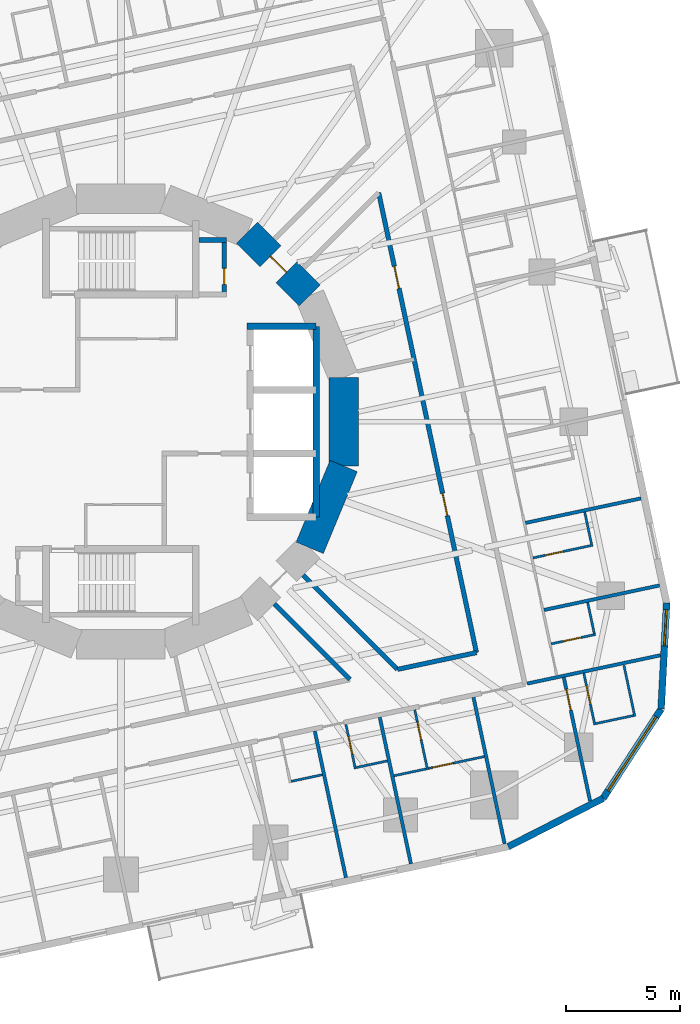
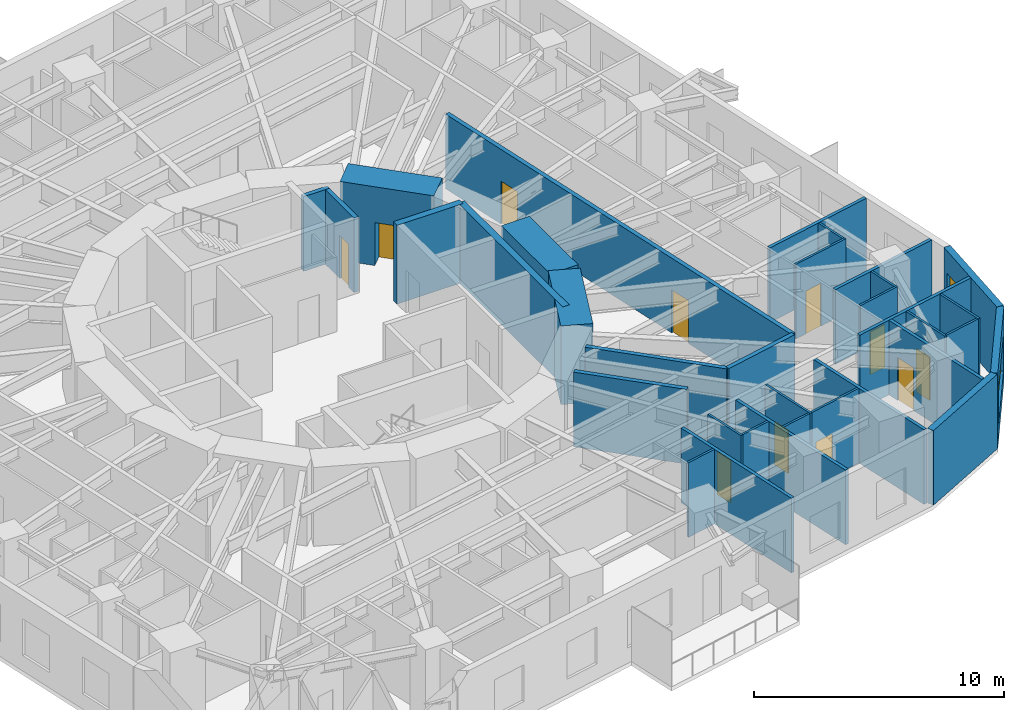
# One storey, part 8 of 14: 34 walls, 11 doors, 2 windows, 13 openings.
"""IFC4 building model written with IfcOpenShell, lengths in metres."""

from ifc_helpers import new_model, si_unit, direction, frame, frame_2d, origin, place, context, subcontext, project, spatial, rectangle, extrude, material, layer, layer_set, type_object, element, fill, save


model = new_model("IFC4")

# Units and contexts
model_context = context("Model", 3, precision=1e-05, world=origin(), true_north=direction((0.0, 1.0)))
body_context = subcontext(model_context, "Body", "Model", "MODEL_VIEW")
ifc_project = project(units=[si_unit("LENGTHUNIT", "METRE"), si_unit("AREAUNIT", "SQUARE_METRE"), si_unit("VOLUMEUNIT", "CUBIC_METRE"), si_unit("PLANEANGLEUNIT", "RADIAN"), si_unit("MASSUNIT", "GRAM", prefix="KILO")], contexts=[model_context])

# Site, building, storey
site_placement = place(None, origin())
site = spatial("IfcSite", under=ifc_project, at=site_placement, CompositionType="ELEMENT")
building_placement = place(site_placement, origin())
building = spatial("IfcBuilding", under=site, at=building_placement, Name="Nakasero Lantern House", CompositionType="ELEMENT")
storey_placement = place(building_placement, frame((0.0, 0.0, 112.699951171875)))
storey = spatial("IfcBuildingStorey", under=building, at=storey_placement, Name="L27", CompositionType="ELEMENT", Elevation=112.699951171875)

# Walls
ifc_material_1 = material(Name="Concrete C50/60", Category="concrete")
ifc_layer_1 = layer(ifc_material_1, 0.300048828125)
ifc_layer_set_1 = layer_set([ifc_layer_1], Name="Core inner wall 300")
wall_type_1 = type_object("IfcWallType", Name="Core inner wall 300", PredefinedType="SHEAR", material=ifc_layer_set_1)
wall_1_placement = place(storey_placement, frame((5.550048828125, 4.199951171875, 0.0), z_axis=(0.0, 0.0, 1.0), x_axis=(1.0, 0.0, 0.0)))
element("IfcWall", 1, at=wall_1_placement, inside=storey, type_object=wall_type_1, Name="Core inner wall L27 LEN", PredefinedType="SHEAR", context=body_context, shape_type="SweptSolid", body=[
    extrude(rectangle(XDim=3.050048828125, YDim=0.300048828125, at=frame_2d((1.52490234375, 0.0))), origin(), (0.0, 0.0, 1.0), 3.85009765625),
])
wall_2_placement = place(storey_placement, frame((8.60009765625, -4.199951171875, 0.0), z_axis=(0.0, 0.0, 1.0), x_axis=(0.0, 1.0, 0.0)))
element("IfcWall", 2, at=wall_2_placement, inside=storey, type_object=wall_type_1, Name="Core inner wall L27 LEB", PredefinedType="SHEAR", context=body_context, shape_type="SweptSolid", body=[
    extrude(rectangle(XDim=8.39990234375, YDim=0.300048828125, at=frame_2d((4.199951171875, 0.0))), origin(), (0.0, 0.0, 1.0), 3.85009765625),
])

# Wall, opening, door
ifc_material_2 = material(Name="Concrete C50/60", Category="concrete")
ifc_layer_2 = layer(ifc_material_2, 1.300048828125)
ifc_layer_set_2 = layer_set([ifc_layer_2], Name="Core wall 1300")
wall_type_2 = type_object("IfcWallType", Name="Core wall 1300", PredefinedType="SHEAR", material=ifc_layer_set_2)
wall_3_placement = place(storey_placement, frame((8.314697265625, 5.5556640625, 0.0), z_axis=(0.0, 0.0, 1.0), x_axis=(-0.707106781187, 0.707106781187, 0.0)))
wall_3 = element("IfcWall", 3, at=wall_3_placement, inside=storey, type_object=wall_type_2, Name="Core wall L27 facet 2", PredefinedType="SHEAR", context=body_context, shape_type="SweptSolid", body=[
    extrude(rectangle(XDim=3.90185546875, YDim=1.300048828125, at=frame_2d((1.950927734375, 0.0))), origin(), (0.0, 0.0, 1.0), 3.85009765625),
])
opening_1_placement = place(wall_3_placement, frame((1.450927734375, 0.0, 0.0)))
opening_1 = element("IfcOpeningElement", 4, at=opening_1_placement, cuts=wall_3, Name="Opening D05", PredefinedType="OPENING", context=body_context, shape_type="SweptSolid", body=[
    extrude(rectangle(XDim=1.0, YDim=2.10009765625, at=frame_2d((0.5, 1.050048828125))), frame((0.0, 0.669921875, 0.0), z_axis=(0.0, -1.0, 0.0), x_axis=(1.0, 0.0, 0.0)), (0.0, 0.0, 1.0), 1.340087890625),
])
ifc_material_3 = material(Name="Timber C24", Category="wood")
door_type_1 = type_object("IfcDoorType", Name="Core door FD60S 1000", OperationType="SINGLE_SWING_LEFT", PredefinedType="DOOR", material=ifc_material_3)
door_1_placement = place(opening_1_placement, origin())
door_1 = element("IfcDoor", 5, at=door_1_placement, inside=storey, type_object=door_type_1, Name="Door L27 D-CORE02", OperationType="SINGLE_SWING_LEFT", OverallHeight=2.10009765625, OverallWidth=1.0, PredefinedType="DOOR", context=body_context, shape_type="SweptSolid", body=[
    extrude(rectangle(XDim=1.0, YDim=2.10009765625, at=frame_2d((0.5, 1.050048828125))), frame((0.0, 0.02490234375, 0.0), z_axis=(0.0, -1.0, 0.0), x_axis=(1.0, 0.0, 0.0)), (0.0, 0.0, 1.0), 0.050048828125),
])
fill(opening_1, door_1)

# Walls
for number, where, z_axis, x_axis, name in (
    (6, (8.314697265625, -5.5556640625, 0.0), (0.0, 0.0, 1.0), (0.382690736062, 0.923876507187, 0.0), "Core wall L27 facet 15"),
    (7, (9.807861328125, -1.950927734375, 0.0), (0.0, 0.0, 1.0), (0.0, 1.0, 0.0), "Core wall L27 facet 16"),
):
    element("IfcWall", number, at=place(storey_placement, frame(where, z_axis=z_axis, x_axis=x_axis)), inside=storey, type_object=wall_type_2, Name=name, PredefinedType="SHEAR", context=body_context, shape_type="SweptSolid", body=[
        extrude(rectangle(XDim=3.90185546875, YDim=1.300048828125, at=frame_2d((1.950927734375, 0.0))), origin(), (0.0, 0.0, 1.0), 3.85009765625),
    ])

# Wall, openings, doors
ifc_material_4 = material(Name="Blockwork", Category="masonry")
ifc_layer_3 = layer(ifc_material_4, 0.199951171875)
ifc_layer_set_3 = layer_set([ifc_layer_3], Name="Corridor wall 200")
wall_type_3 = type_object("IfcWallType", Name="Corridor wall 200", PredefinedType="PARTITIONING", material=ifc_layer_set_3)
wall_4_placement = place(storey_placement, frame((15.656005859375, -10.1669921875, 0.0), z_axis=(0.0, 0.0, 1.0), x_axis=(-0.207919413582, 0.978145959178, 0.0)))
wall_4 = element("IfcWall", 8, at=wall_4_placement, inside=storey, type_object=wall_type_3, Name="Corridor wall L27 IW0-0", PredefinedType="PARTITIONING", context=body_context, shape_type="SweptSolid", body=[
    extrude(rectangle(XDim=20.698974609375, YDim=0.199951171875, at=frame_2d((10.349609375, 0.0))), origin(), (0.0, 0.0, 1.0), 3.650146484375),
])
opening_2_placement = place(wall_4_placement, frame((6.16259765625, 0.0, 0.0)))
opening_2 = element("IfcOpeningElement", 9, at=opening_2_placement, cuts=wall_4, Name="Opening D07", PredefinedType="OPENING", context=body_context, shape_type="SweptSolid", body=[
    extrude(rectangle(XDim=1.0, YDim=2.10009765625, at=frame_2d((0.5, 1.050048828125))), frame((0.0, 0.119873046875, 0.0), z_axis=(0.0, -1.0, 0.0), x_axis=(1.0, 0.0, 0.0)), (0.0, 0.0, 1.0), 0.239990234375),
])
opening_3_placement = place(wall_4_placement, frame((16.386962890625, 0.0, 0.0)))
opening_3 = element("IfcOpeningElement", 10, at=opening_3_placement, cuts=wall_4, Name="Opening D07", PredefinedType="OPENING", context=body_context, shape_type="SweptSolid", body=[
    extrude(rectangle(XDim=1.0, YDim=2.10009765625, at=frame_2d((0.5, 1.050048828125))), frame((0.0, 0.119873046875, 0.0), z_axis=(0.0, -1.0, 0.0), x_axis=(1.0, 0.0, 0.0)), (0.0, 0.0, 1.0), 0.239990234375),
])
ifc_material_5 = material(Name="Timber C24", Category="wood")
door_type_2 = type_object("IfcDoorType", Name="Room door FD30S 1000", OperationType="SINGLE_SWING_LEFT", PredefinedType="DOOR", material=ifc_material_5)
door_2_placement = place(opening_2_placement, origin())
door_2 = element("IfcDoor", 11, at=door_2_placement, inside=storey, type_object=door_type_2, Name="Door L27 DI3", OperationType="SINGLE_SWING_LEFT", OverallHeight=2.10009765625, OverallWidth=1.0, PredefinedType="DOOR", context=body_context, shape_type="SweptSolid", body=[
    extrude(rectangle(XDim=1.0, YDim=2.10009765625, at=frame_2d((0.5, 1.050048828125))), frame((0.0, 0.02490234375, 0.0), z_axis=(0.0, -1.0, 0.0), x_axis=(1.0, 0.0, 0.0)), (0.0, 0.0, 1.0), 0.050048828125),
])
fill(opening_2, door_2)
door_3_placement = place(opening_3_placement, origin())
door_3 = element("IfcDoor", 12, at=door_3_placement, inside=storey, type_object=door_type_2, Name="Door L27 DI4", OperationType="SINGLE_SWING_RIGHT", OverallHeight=2.10009765625, OverallWidth=1.0, PredefinedType="DOOR", context=body_context, shape_type="SweptSolid", body=[
    extrude(rectangle(XDim=1.0, YDim=2.10009765625, at=frame_2d((0.5, 1.050048828125))), frame((0.0, 0.02490234375, 0.0), z_axis=(0.0, -1.0, 0.0), x_axis=(1.0, 0.0, 0.0)), (0.0, 0.0, 1.0), 0.050048828125),
])
fill(opening_3, door_3)

# Walls
wall_5_placement = place(storey_placement, frame((12.178955078125, -10.90625, 0.0), z_axis=(0.0, 0.0, 1.0), x_axis=(0.978136852319, 0.207962251708, 0.0)))
element("IfcWall", 13, at=wall_5_placement, inside=storey, type_object=wall_type_3, Name="Corridor wall L27 IW3-1", PredefinedType="PARTITIONING", context=body_context, shape_type="SweptSolid", body=[
    extrude(rectangle(XDim=3.5546875, YDim=0.199951171875, at=frame_2d((1.77734375, 0.0))), origin(), (0.0, 0.0, 1.0), 3.650146484375),
])
wall_6_placement = place(storey_placement, frame((8.03125, -6.758544921875, 0.0), z_axis=(0.0, 0.0, 1.0), x_axis=(0.707106781187, -0.707106781187, 0.0)))
element("IfcWall", 14, at=wall_6_placement, inside=storey, type_object=wall_type_3, Name="Corridor wall L27 PS14a", PredefinedType="PARTITIONING", context=body_context, shape_type="SweptSolid", body=[
    extrude(rectangle(XDim=5.86572265625, YDim=0.199951171875, at=frame_2d((2.932861328125, 0.0))), origin(), (0.0, 0.0, 1.0), 3.650146484375),
])
wall_7_placement = place(storey_placement, frame((6.758544921875, -8.03125, 0.0), z_axis=(0.0, 0.0, 1.0), x_axis=(0.707106781187, -0.707106781187, 0.0)))
element("IfcWall", 15, at=wall_7_placement, inside=storey, type_object=wall_type_3, Name="Corridor wall L27 PS14b", PredefinedType="PARTITIONING", context=body_context, shape_type="SweptSolid", body=[
    extrude(rectangle(XDim=4.69677734375, YDim=0.199951171875, at=frame_2d((2.348388671875, 0.0))), origin(), (0.0, 0.0, 1.0), 3.650146484375),
])

# Wall, opening, door
ifc_material_6 = material(Name="Blockwork", Category="masonry")
ifc_layer_4 = layer(ifc_material_6, 0.10009765625)
ifc_layer_set_4 = layer_set([ifc_layer_4], Name="En-suite wall 100")
wall_type_4 = type_object("IfcWallType", Name="En-suite wall 100", PredefinedType="PARTITIONING", material=ifc_layer_set_4)
wall_8_placement = place(storey_placement, frame((18.947998046875, -9.783203125, 0.0), z_axis=(0.0, 0.0, 1.0), x_axis=(0.978128127149, 0.208003285743, 0.0)))
wall_8 = element("IfcWall", 16, at=wall_8_placement, inside=storey, type_object=wall_type_4, Name="En-suite wall L27 ES0-00", PredefinedType="PARTITIONING", context=body_context, shape_type="SweptSolid", body=[
    extrude(rectangle(XDim=2.0, YDim=0.10009765625, at=frame_2d((1.0, 0.0))), origin(), (0.0, 0.0, 1.0), 3.650146484375),
])
opening_4_placement = place(wall_8_placement, frame((0.550048828125, 0.0, 0.0)))
opening_4 = element("IfcOpeningElement", 17, at=opening_4_placement, cuts=wall_8, Name="Opening D02", PredefinedType="OPENING", context=body_context, shape_type="SweptSolid", body=[
    extrude(rectangle(XDim=0.800048828125, YDim=2.10009765625, at=frame_2d((0.39990234375, 1.050048828125))), frame((0.0, 0.070068359375, 0.0), z_axis=(0.0, -1.0, 0.0), x_axis=(1.0, 0.0, 0.0)), (0.0, 0.0, 1.0), 0.14013671875),
])
ifc_material_7 = material(Name="Timber C24", Category="wood")
door_type_3 = type_object("IfcDoorType", Name="En-suite door 800", OperationType="SINGLE_SWING_RIGHT", PredefinedType="DOOR", material=ifc_material_7)
door_4_placement = place(opening_4_placement, origin())
door_4 = element("IfcDoor", 18, at=door_4_placement, inside=storey, type_object=door_type_3, Name="Door L27 DE0-00", OperationType="SINGLE_SWING_LEFT", OverallHeight=2.10009765625, OverallWidth=0.800048828125, PredefinedType="DOOR", context=body_context, shape_type="SweptSolid", body=[
    extrude(rectangle(XDim=0.800048828125, YDim=2.10009765625, at=frame_2d((0.39990234375, 1.050048828125))), frame((0.0, 0.02490234375, 0.0), z_axis=(0.0, -1.0, 0.0), x_axis=(1.0, 0.0, 0.0)), (0.0, 0.0, 1.0), 0.050048828125),
])
fill(opening_4, door_4)

# Wall
wall_9_placement = place(storey_placement, frame((20.844970703125, -9.328857421875, 0.0), z_axis=(0.0, 0.0, 1.0), x_axis=(-0.207873355681, 0.978155748334, 0.0)))
element("IfcWall", 19, at=wall_9_placement, inside=storey, type_object=wall_type_4, Name="En-suite wall L27 EE0-00", PredefinedType="PARTITIONING", context=body_context, shape_type="SweptSolid", body=[
    extrude(rectangle(XDim=1.39990234375, YDim=0.10009765625, at=frame_2d((0.699951171875, 0.0))), origin(), (0.0, 0.0, 1.0), 3.650146484375),
])

# Wall, opening, door
wall_10_placement = place(storey_placement, frame((18.1435546875, -5.998291015625, 0.0), z_axis=(0.0, 0.0, 1.0), x_axis=(0.978137244908, 0.207960405185, 0.0)))
wall_10 = element("IfcWall", 20, at=wall_10_placement, inside=storey, type_object=wall_type_4, Name="En-suite wall L27 ES0-01", PredefinedType="PARTITIONING", context=body_context, shape_type="SweptSolid", body=[
    extrude(rectangle(XDim=2.7001953125, YDim=0.10009765625, at=frame_2d((1.35009765625, 0.0))), origin(), (0.0, 0.0, 1.0), 3.650146484375),
])
opening_5_placement = place(wall_10_placement, frame((0.550048828125, 0.0, 0.0)))
opening_5 = element("IfcOpeningElement", 21, at=opening_5_placement, cuts=wall_10, Name="Opening D02", PredefinedType="OPENING", context=body_context, shape_type="SweptSolid", body=[
    extrude(rectangle(XDim=0.800048828125, YDim=2.10009765625, at=frame_2d((0.39990234375, 1.050048828125))), frame((0.0, 0.070068359375, 0.0), z_axis=(0.0, -1.0, 0.0), x_axis=(1.0, 0.0, 0.0)), (0.0, 0.0, 1.0), 0.14013671875),
])
door_5_placement = place(opening_5_placement, origin())
door_5 = element("IfcDoor", 22, at=door_5_placement, inside=storey, type_object=door_type_3, Name="Door L27 DE0-01", OperationType="SINGLE_SWING_LEFT", OverallHeight=2.10009765625, OverallWidth=0.800048828125, PredefinedType="DOOR", context=body_context, shape_type="SweptSolid", body=[
    extrude(rectangle(XDim=0.800048828125, YDim=2.10009765625, at=frame_2d((0.39990234375, 1.050048828125))), frame((0.0, 0.02490234375, 0.0), z_axis=(0.0, -1.0, 0.0), x_axis=(1.0, 0.0, 0.0)), (0.0, 0.0, 1.0), 0.050048828125),
])
fill(opening_5, door_5)

# Walls
wall_11_placement = place(storey_placement, frame((20.725341796875, -5.398193359375, 0.0), z_axis=(0.0, 0.0, 1.0), x_axis=(-0.207953405961, 0.978138732977, 0.0)))
element("IfcWall", 23, at=wall_11_placement, inside=storey, type_object=wall_type_4, Name="En-suite wall L27 EE0-01", PredefinedType="PARTITIONING", context=body_context, shape_type="SweptSolid", body=[
    extrude(rectangle(XDim=1.449951171875, YDim=0.10009765625, at=frame_2d((0.72509765625, 0.0))), origin(), (0.0, 0.0, 1.0), 3.650146484375),
])
wall_12_placement = place(storey_placement, frame((7.50048828125, -15.836669921875, 0.0), z_axis=(0.0, 0.0, 1.0), x_axis=(0.978155748334, 0.207873355681, 0.0)))
element("IfcWall", 24, at=wall_12_placement, inside=storey, type_object=wall_type_4, Name="En-suite wall L27 EE3-05", PredefinedType="PARTITIONING", context=body_context, shape_type="SweptSolid", body=[
    extrude(rectangle(XDim=1.39990234375, YDim=0.10009765625, at=frame_2d((0.699951171875, 0.0))), origin(), (0.0, 0.0, 1.0), 3.650146484375),
])

# Wall, opening, door
wall_13_placement = place(storey_placement, frame((9.908447265625, -13.331298828125, 0.0), z_axis=(0.0, 0.0, 1.0), x_axis=(0.208003285743, -0.978128127149, 0.0)))
wall_13 = element("IfcWall", 25, at=wall_13_placement, inside=storey, type_object=wall_type_4, Name="En-suite wall L27 ES3-06", PredefinedType="PARTITIONING", context=body_context, shape_type="SweptSolid", body=[
    extrude(rectangle(XDim=2.0, YDim=0.10009765625, at=frame_2d((1.0, 0.0))), origin(), (0.0, 0.0, 1.0), 3.650146484375),
])
opening_6_placement = place(wall_13_placement, frame((0.550048828125, 0.0, 0.0)))
opening_6 = element("IfcOpeningElement", 26, at=opening_6_placement, cuts=wall_13, Name="Opening D02", PredefinedType="OPENING", context=body_context, shape_type="SweptSolid", body=[
    extrude(rectangle(XDim=0.800048828125, YDim=2.10009765625, at=frame_2d((0.39990234375, 1.050048828125))), frame((0.0, 0.070068359375, 0.0), z_axis=(0.0, -1.0, 0.0), x_axis=(1.0, 0.0, 0.0)), (0.0, 0.0, 1.0), 0.14013671875),
])
door_6_placement = place(opening_6_placement, origin())
door_6 = element("IfcDoor", 27, at=door_6_placement, inside=storey, type_object=door_type_3, Name="Door L27 DE3-06", OperationType="SINGLE_SWING_LEFT", OverallHeight=2.10009765625, OverallWidth=0.800048828125, PredefinedType="DOOR", context=body_context, shape_type="SweptSolid", body=[
    extrude(rectangle(XDim=0.800048828125, YDim=2.10009765625, at=frame_2d((0.39990234375, 1.050048828125))), frame((0.0, 0.02490234375, 0.0), z_axis=(0.0, -1.0, 0.0), x_axis=(1.0, 0.0, 0.0)), (0.0, 0.0, 1.0), 0.050048828125),
])
fill(opening_6, door_6)

# Wall
wall_14_placement = place(storey_placement, frame((10.36279296875, -15.228271484375, 0.0), z_axis=(0.0, 0.0, 1.0), x_axis=(0.978155748334, 0.207873355681, 0.0)))
element("IfcWall", 28, at=wall_14_placement, inside=storey, type_object=wall_type_4, Name="En-suite wall L27 EE3-06", PredefinedType="PARTITIONING", context=body_context, shape_type="SweptSolid", body=[
    extrude(rectangle(XDim=1.39990234375, YDim=0.10009765625, at=frame_2d((0.699951171875, 0.0))), origin(), (0.0, 0.0, 1.0), 3.650146484375),
])

# Wall, opening, door
wall_15_placement = place(storey_placement, frame((12.940673828125, -12.686767578125, 0.0), z_axis=(0.0, 0.0, 1.0), x_axis=(0.207978798957, -0.978133334052, 0.0)))
wall_15 = element("IfcWall", 29, at=wall_15_placement, inside=storey, type_object=wall_type_4, Name="En-suite wall L27 ES3-07", PredefinedType="PARTITIONING", context=body_context, shape_type="SweptSolid", body=[
    extrude(rectangle(XDim=2.699951171875, YDim=0.10009765625, at=frame_2d((1.35009765625, 0.0))), origin(), (0.0, 0.0, 1.0), 3.650146484375),
])
opening_7_placement = place(wall_15_placement, frame((0.550048828125, 0.0, 0.0)))
opening_7 = element("IfcOpeningElement", 30, at=opening_7_placement, cuts=wall_15, Name="Opening D02", PredefinedType="OPENING", context=body_context, shape_type="SweptSolid", body=[
    extrude(rectangle(XDim=0.800048828125, YDim=2.10009765625, at=frame_2d((0.39990234375, 1.050048828125))), frame((0.0, 0.070068359375, 0.0), z_axis=(0.0, -1.0, 0.0), x_axis=(1.0, 0.0, 0.0)), (0.0, 0.0, 1.0), 0.14013671875),
])
door_7_placement = place(opening_7_placement, origin())
door_7 = element("IfcDoor", 31, at=door_7_placement, inside=storey, type_object=door_type_3, Name="Door L27 DE3-07", OperationType="SINGLE_SWING_LEFT", OverallHeight=2.10009765625, OverallWidth=0.800048828125, PredefinedType="DOOR", context=body_context, shape_type="SweptSolid", body=[
    extrude(rectangle(XDim=0.800048828125, YDim=2.10009765625, at=frame_2d((0.39990234375, 1.050048828125))), frame((0.0, 0.02490234375, 0.0), z_axis=(0.0, -1.0, 0.0), x_axis=(1.0, 0.0, 0.0)), (0.0, 0.0, 1.0), 0.050048828125),
])
fill(opening_7, door_7)

# Wall
wall_16_placement = place(storey_placement, frame((12.024658203125, -15.590576171875, 0.0), z_axis=(0.0, 0.0, 1.0), x_axis=(0.978138732977, 0.207953405961, 0.0)))
element("IfcWall", 32, at=wall_16_placement, inside=storey, type_object=wall_type_4, Name="En-suite wall L27 EE3-07", PredefinedType="PARTITIONING", context=body_context, shape_type="SweptSolid", body=[
    extrude(rectangle(XDim=1.449951171875, YDim=0.10009765625, at=frame_2d((0.72509765625, 0.0))), origin(), (0.0, 0.0, 1.0), 3.650146484375),
])

# Wall, opening, door
wall_17_placement = place(storey_placement, frame((20.382568359375, -11.069091796875, 0.0), z_axis=(0.0, 0.0, 1.0), x_axis=(0.207965047255, -0.978136257952, 0.0)))
wall_17 = element("IfcWall", 33, at=wall_17_placement, inside=storey, type_object=wall_type_4, Name="En-suite wall L27 ES3-08", PredefinedType="PARTITIONING", context=body_context, shape_type="SweptSolid", body=[
    extrude(rectangle(XDim=2.3349609375, YDim=0.10009765625, at=frame_2d((1.16748046875, 0.0))), origin(), (0.0, 0.0, 1.0), 3.650146484375),
])
opening_8_placement = place(wall_17_placement, frame((0.5849609375, 0.0, 0.0)))
opening_8 = element("IfcOpeningElement", 34, at=opening_8_placement, cuts=wall_17, Name="Opening D02", PredefinedType="OPENING", context=body_context, shape_type="SweptSolid", body=[
    extrude(rectangle(XDim=0.800048828125, YDim=2.10009765625, at=frame_2d((0.39990234375, 1.050048828125))), frame((0.0, 0.070068359375, 0.0), z_axis=(0.0, -1.0, 0.0), x_axis=(1.0, 0.0, 0.0)), (0.0, 0.0, 1.0), 0.14013671875),
])
door_8_placement = place(opening_8_placement, origin())
door_8 = element("IfcDoor", 35, at=door_8_placement, inside=storey, type_object=door_type_3, Name="Door L27 DE3-08", OperationType="SINGLE_SWING_LEFT", OverallHeight=2.10009765625, OverallWidth=0.800048828125, PredefinedType="DOOR", context=body_context, shape_type="SweptSolid", body=[
    extrude(rectangle(XDim=0.800048828125, YDim=2.10009765625, at=frame_2d((0.39990234375, 1.050048828125))), frame((0.0, 0.02490234375, 0.0), z_axis=(0.0, -1.0, 0.0), x_axis=(1.0, 0.0, 0.0)), (0.0, 0.0, 1.0), 0.050048828125),
])
fill(opening_8, door_8)

# Walls
wall_18_placement = place(storey_placement, frame((20.906494140625, -13.293701171875, 0.0), z_axis=(0.0, 0.0, 1.0), x_axis=(0.978168704767, 0.207812379357, 0.0)))
element("IfcWall", 36, at=wall_18_placement, inside=storey, type_object=wall_type_4, Name="En-suite wall L27 EE3-08", PredefinedType="PARTITIONING", context=body_context, shape_type="SweptSolid", body=[
    extrude(rectangle(XDim=1.699951171875, YDim=0.10009765625, at=frame_2d((0.85009765625, 0.0))), origin(), (0.0, 0.0, 1.0), 3.650146484375),
])
wall_19_placement = place(storey_placement, frame((22.150634765625, -10.72900390625, 0.0), z_axis=(0.0, 0.0, 1.0), x_axis=(0.207839712757, -0.978162897375, 0.0)))
element("IfcWall", 37, at=wall_19_placement, inside=storey, type_object=wall_type_4, Name="En-suite wall L27 EV3-08", PredefinedType="PARTITIONING", context=body_context, shape_type="SweptSolid", body=[
    extrude(rectangle(XDim=2.300048828125, YDim=0.10009765625, at=frame_2d((1.14990234375, 0.0))), origin(), (0.0, 0.0, 1.0), 3.650146484375),
])

# Wall, opening, door
wall_20_placement = place(storey_placement, frame((13.540771484375, -15.268310546875, 0.0), z_axis=(0.0, 0.0, 1.0), x_axis=(0.978157126054, 0.207866872659, 0.0)))
wall_20 = element("IfcWall", 38, at=wall_20_placement, inside=storey, type_object=wall_type_4, Name="En-suite wall L27 EL3-07", PredefinedType="PARTITIONING", context=body_context, shape_type="SweptSolid", body=[
    extrude(rectangle(XDim=2.51806640625, YDim=0.10009765625, at=frame_2d((1.259033203125, 0.0))), origin(), (0.0, 0.0, 1.0), 3.650146484375),
])
opening_9_placement = place(wall_20_placement, frame((0.199951171875, 0.0, 0.0)))
opening_9 = element("IfcOpeningElement", 39, at=opening_9_placement, cuts=wall_20, Name="Opening D17", PredefinedType="OPENING", context=body_context, shape_type="SweptSolid", body=[
    extrude(rectangle(XDim=0.89990234375, YDim=2.10009765625, at=frame_2d((0.449951171875, 1.050048828125))), frame((0.0, 0.070068359375, 0.0), z_axis=(0.0, -1.0, 0.0), x_axis=(1.0, 0.0, 0.0)), (0.0, 0.0, 1.0), 0.14013671875),
])
ifc_material_8 = material(Name="Timber C24", Category="wood")
door_type_4 = type_object("IfcDoorType", Name="Bedroom door FD30S 900", OperationType="SINGLE_SWING_LEFT", PredefinedType="DOOR", material=ifc_material_8)
door_9_placement = place(opening_9_placement, origin())
door_9 = element("IfcDoor", 40, at=door_9_placement, inside=storey, type_object=door_type_4, Name="Door L27 DL3-07", OperationType="SINGLE_SWING_LEFT", OverallHeight=2.10009765625, OverallWidth=0.89990234375, PredefinedType="DOOR", context=body_context, shape_type="SweptSolid", body=[
    extrude(rectangle(XDim=0.89990234375, YDim=2.10009765625, at=frame_2d((0.449951171875, 1.050048828125))), frame((0.0, 0.02490234375, 0.0), z_axis=(0.0, -1.0, 0.0), x_axis=(1.0, 0.0, 0.0)), (0.0, 0.0, 1.0), 0.050048828125),
])
fill(opening_9, door_9)

# Wall
ifc_material_9 = material(Name="Aluminium rainscreen on blockwork", Category="masonry")
ifc_layer_5 = layer(ifc_material_9, 0.300048828125)
ifc_layer_set_5 = layer_set([ifc_layer_5], Name="Facade wall 300")
wall_type_5 = type_object("IfcWallType", Name="Facade wall 300", PredefinedType="SOLIDWALL", material=ifc_layer_set_5)
wall_21_placement = place(storey_placement, frame((17.063232421875, -18.711181640625, 0.0), z_axis=(0.0, 0.0, 1.0), x_axis=(0.89101404178, 0.453975745332, 0.0)))
element("IfcWall", 41, at=wall_21_placement, inside=storey, type_object=wall_type_5, Name="Facade wall L27 FW3C1", PredefinedType="SOLIDWALL", context=body_context, shape_type="SweptSolid", body=[
    extrude(rectangle(XDim=4.6845703125, YDim=0.300048828125, at=frame_2d((2.34228515625, 0.0))), origin(), (0.0, 0.0, 1.0), 3.650146484375),
])

# Wall, opening, window
wall_22_placement = place(storey_placement, frame((21.2373046875, -16.58447265625, 0.0), z_axis=(0.0, 0.0, 1.0), x_axis=(0.544605442853, 0.838692381994, 0.0)))
wall_22 = element("IfcWall", 42, at=wall_22_placement, inside=storey, type_object=wall_type_5, Name="Facade wall L27 FW3C2", PredefinedType="SOLIDWALL", context=body_context, shape_type="SweptSolid", body=[
    extrude(rectangle(XDim=4.6845703125, YDim=0.300048828125, at=frame_2d((2.34228515625, 0.0))), origin(), (0.0, 0.0, 1.0), 3.650146484375),
])
opening_10_placement = place(wall_22_placement, frame((0.39990234375, 0.0, 0.75)))
opening_10 = element("IfcOpeningElement", 43, at=opening_10_placement, cuts=wall_22, Name="Opening W238", PredefinedType="OPENING", context=body_context, shape_type="SweptSolid", body=[
    extrude(rectangle(XDim=3.885009765625, YDim=1.800048828125, at=frame_2d((1.9423828125, 0.89990234375))), frame((0.0, 0.169921875, 0.0), z_axis=(0.0, -1.0, 0.0), x_axis=(1.0, 0.0, 0.0)), (0.0, 0.0, 1.0), 0.340087890625),
])
ifc_material_10 = material(Name="Aluminium 6063-T6 and glass", Category="aluminium")
window_type_1 = type_object("IfcWindowType", Name="Corner window 3885x1800", PartitioningType="SINGLE_PANEL", PredefinedType="WINDOW", material=ifc_material_10)
window_1_placement = place(opening_10_placement, origin())
window_1 = element("IfcWindow", 44, at=window_1_placement, inside=storey, type_object=window_type_1, Name="Window L27 WC3", OverallHeight=1.800048828125, OverallWidth=3.885009765625, PartitioningType="SINGLE_PANEL", PredefinedType="WINDOW", context=body_context, shape_type="SweptSolid", body=[
    extrude(rectangle(XDim=3.885009765625, YDim=1.800048828125, at=frame_2d((1.9423828125, 0.89990234375))), frame((0.0, 0.030029296875, 0.0), z_axis=(0.0, -1.0, 0.0), x_axis=(1.0, 0.0, 0.0)), (0.0, 0.0, 1.0), 0.06005859375),
])
fill(opening_10, window_1)

wall_23_placement = place(storey_placement, frame((23.78857421875, -12.655517578125, 0.0), z_axis=(0.0, 0.0, 1.0), x_axis=(0.052326317, 0.998630039879, 0.0)))
wall_23 = element("IfcWall", 45, at=wall_23_placement, inside=storey, type_object=wall_type_5, Name="Facade wall L27 FW3C3", PredefinedType="SOLIDWALL", context=body_context, shape_type="SweptSolid", body=[
    extrude(rectangle(XDim=4.684326171875, YDim=0.300048828125, at=frame_2d((2.34228515625, 0.0))), origin(), (0.0, 0.0, 1.0), 3.650146484375),
])
opening_11_placement = place(wall_23_placement, frame((2.784912109375, 0.0, 0.75)))
opening_11 = element("IfcOpeningElement", 46, at=opening_11_placement, cuts=wall_23, Name="Opening W01", PredefinedType="OPENING", context=body_context, shape_type="SweptSolid", body=[
    extrude(rectangle(XDim=1.60009765625, YDim=1.800048828125, at=frame_2d((0.800048828125, 0.89990234375))), frame((0.0, 0.169921875, 0.0), z_axis=(0.0, -1.0, 0.0), x_axis=(1.0, 0.0, 0.0)), (0.0, 0.0, 1.0), 0.340087890625),
])
ifc_material_11 = material(Name="Aluminium 6063-T6 and glass", Category="aluminium")
window_type_2 = type_object("IfcWindowType", Name="Bedroom window 1600x1800", PartitioningType="SINGLE_PANEL", PredefinedType="WINDOW", material=ifc_material_11)
window_2_placement = place(opening_11_placement, origin())
window_2 = element("IfcWindow", 47, at=window_2_placement, inside=storey, type_object=window_type_2, Name="Window L27 WN0-00", OverallHeight=1.800048828125, OverallWidth=1.60009765625, PartitioningType="SINGLE_PANEL", PredefinedType="WINDOW", context=body_context, shape_type="SweptSolid", body=[
    extrude(rectangle(XDim=1.60009765625, YDim=1.800048828125, at=frame_2d((0.800048828125, 0.89990234375))), frame((0.0, 0.030029296875, 0.0), z_axis=(0.0, -1.0, 0.0), x_axis=(1.0, 0.0, 0.0)), (0.0, 0.0, 1.0), 0.06005859375),
])
fill(opening_11, window_2)

# Wall, opening, door
ifc_material_12 = material(Name="Blockwork", Category="masonry")
ifc_layer_6 = layer(ifc_material_12, 0.199951171875)
ifc_layer_set_6 = layer_set([ifc_layer_6], Name="Fire lobby wall 200")
wall_type_6 = type_object("IfcWallType", Name="Fire lobby wall 200", PredefinedType="PARTITIONING", material=ifc_layer_set_6)
wall_24_placement = place(storey_placement, frame((4.550048828125, 5.60009765625, 0.0), z_axis=(0.0, 0.0, 1.0), x_axis=(0.0, 1.0, 0.0)))
wall_24 = element("IfcWall", 48, at=wall_24_placement, inside=storey, type_object=wall_type_6, Name="Fire lobby wall L27 W-RS1E", PredefinedType="PARTITIONING", context=body_context, shape_type="SweptSolid", body=[
    extrude(rectangle(XDim=2.39990234375, YDim=0.199951171875, at=frame_2d((1.199951171875, 0.0))), origin(), (0.0, 0.0, 1.0), 3.650146484375),
])
opening_12_placement = place(wall_24_placement, frame((0.449951171875, 0.0, 0.0)))
opening_12 = element("IfcOpeningElement", 49, at=opening_12_placement, cuts=wall_24, Name="Opening D06", PredefinedType="OPENING", context=body_context, shape_type="SweptSolid", body=[
    extrude(rectangle(XDim=0.699951171875, YDim=2.10009765625, at=frame_2d((0.35009765625, 1.050048828125))), frame((0.0, 0.119873046875, 0.0), z_axis=(0.0, -1.0, 0.0), x_axis=(1.0, 0.0, 0.0)), (0.0, 0.0, 1.0), 0.239990234375),
])
ifc_material_13 = material(Name="Steel S355", Category="steel")
door_type_5 = type_object("IfcDoorType", Name="Riser door FD60 700", OperationType="SINGLE_SWING_LEFT", PredefinedType="DOOR", material=ifc_material_13)
door_10_placement = place(opening_12_placement, origin())
door_10 = element("IfcDoor", 50, at=door_10_placement, inside=storey, type_object=door_type_5, Name="Door L27 D-RS1", OperationType="SINGLE_SWING_LEFT", OverallHeight=2.10009765625, OverallWidth=0.699951171875, PredefinedType="DOOR", context=body_context, shape_type="SweptSolid", body=[
    extrude(rectangle(XDim=0.699951171875, YDim=2.10009765625, at=frame_2d((0.35009765625, 1.050048828125))), frame((0.0, 0.02490234375, 0.0), z_axis=(0.0, -1.0, 0.0), x_axis=(1.0, 0.0, 0.0)), (0.0, 0.0, 1.0), 0.050048828125),
])
fill(opening_12, door_10)

# Walls
wall_25_placement = place(storey_placement, frame((3.449951171875, 8.0, 0.0), z_axis=(0.0, 0.0, 1.0), x_axis=(1.0, 0.0, 0.0)))
element("IfcWall", 51, at=wall_25_placement, inside=storey, type_object=wall_type_6, Name="Fire lobby wall L27 W-RS1N", PredefinedType="PARTITIONING", context=body_context, shape_type="SweptSolid", body=[
    extrude(rectangle(XDim=1.199951171875, YDim=0.199951171875, at=frame_2d((0.60009765625, 0.0))), origin(), (0.0, 0.0, 1.0), 3.650146484375),
])
ifc_material_14 = material(Name="Blockwork", Category="masonry")
ifc_layer_7 = layer(ifc_material_14, 0.14990234375)
ifc_layer_set_7 = layer_set([ifc_layer_7], Name="Party wall 150")
wall_type_7 = type_object("IfcWallType", Name="Party wall 150", PredefinedType="PARTITIONING", material=ifc_layer_set_7)
wall_26_placement = place(storey_placement, frame((17.888671875, -11.53271484375, 0.0), z_axis=(0.0, 0.0, 1.0), x_axis=(0.978152955943, 0.207886494942, 0.0)))
element("IfcWall", 52, at=wall_26_placement, inside=storey, type_object=wall_type_7, Name="Party wall L27 PW0-00", PredefinedType="PARTITIONING", context=body_context, shape_type="SweptSolid", body=[
    extrude(rectangle(XDim=6.0, YDim=0.14990234375, at=frame_2d((3.0, 0.0))), origin(), (0.0, 0.0, 1.0), 3.650146484375),
])
for number, where, z_axis, x_axis, name in (
    (53, (18.631103515625, -8.29150390625, 0.0), (0.0, 0.0, 1.0), (0.978139873931, 0.207948039247, 0.0), "Party wall L27 PW0-01"),
    (54, (17.816162109375, -4.45751953125, 0.0), (0.0, 0.0, 1.0), (0.978151452323, 0.207893569688, 0.0), "Party wall L27 PW0-02"),
):
    element("IfcWall", number, at=place(storey_placement, frame(where, z_axis=z_axis, x_axis=x_axis)), inside=storey, type_object=wall_type_7, Name=name, PredefinedType="PARTITIONING", context=body_context, shape_type="SweptSolid", body=[
        extrude(rectangle(XDim=5.199951171875, YDim=0.14990234375, at=frame_2d((2.60009765625, 0.0))), origin(), (0.0, 0.0, 1.0), 3.650146484375),
    ])
for number, where, z_axis, x_axis, name in (
    (55, (8.537841796875, -13.62255859375, 0.0), (0.0, 0.0, 1.0), (0.207889281984, -0.97815236361, 0.0), "Party wall L27 PW3-06"),
    (56, (11.400146484375, -13.01416015625, 0.0), (0.0, 0.0, 1.0), (0.207924673876, -0.978144841009, 0.0), "Party wall L27 PW3-07"),
    (57, (15.526123046875, -12.13720703125, 0.0), (0.0, 0.0, 1.0), (0.207924673876, -0.978144841009, 0.0), "Party wall L27 PW3-08"),
):
    element("IfcWall", number, at=place(storey_placement, frame(where, z_axis=z_axis, x_axis=x_axis)), inside=storey, type_object=wall_type_7, Name=name, PredefinedType="PARTITIONING", context=body_context, shape_type="SweptSolid", body=[
        extrude(rectangle(XDim=6.60009765625, YDim=0.14990234375, at=frame_2d((3.300048828125, 0.0))), origin(), (0.0, 0.0, 1.0), 3.650146484375),
    ])

# Wall, opening, door
wall_27_placement = place(storey_placement, frame((19.502197265625, -11.256103515625, 0.0), z_axis=(0.0, 0.0, 1.0), x_axis=(0.207936339891, -0.978142361087, 0.0)))
wall_27 = element("IfcWall", 58, at=wall_27_placement, inside=storey, type_object=wall_type_7, Name="Party wall L27 PC3", PredefinedType="PARTITIONING", context=body_context, shape_type="SweptSolid", body=[
    extrude(rectangle(XDim=5.570068359375, YDim=0.14990234375, at=frame_2d((2.78515625, 0.0))), origin(), (0.0, 0.0, 1.0), 3.650146484375),
])
opening_13_placement = place(wall_27_placement, frame((0.534912109375, 0.0, 0.0)))
opening_13 = element("IfcOpeningElement", 59, at=opening_13_placement, cuts=wall_27, Name="Opening D01", PredefinedType="OPENING", context=body_context, shape_type="SweptSolid", body=[
    extrude(rectangle(XDim=0.949951171875, YDim=2.10009765625, at=frame_2d((0.47509765625, 1.050048828125))), frame((0.0, 0.094970703125, 0.0), z_axis=(0.0, -1.0, 0.0), x_axis=(1.0, 0.0, 0.0)), (0.0, 0.0, 1.0), 0.18994140625),
])
ifc_material_15 = material(Name="Timber C24", Category="wood")
door_type_6 = type_object("IfcDoorType", Name="Bedroom door FD30S 950", OperationType="SINGLE_SWING_LEFT", PredefinedType="DOOR", material=ifc_material_15)
door_11_placement = place(opening_13_placement, origin())
door_11 = element("IfcDoor", 60, at=door_11_placement, inside=storey, type_object=door_type_6, Name="Door L27 DC3", OperationType="SINGLE_SWING_LEFT", OverallHeight=2.10009765625, OverallWidth=0.949951171875, PredefinedType="DOOR", context=body_context, shape_type="SweptSolid", body=[
    extrude(rectangle(XDim=0.949951171875, YDim=2.10009765625, at=frame_2d((0.47509765625, 1.050048828125))), frame((0.0, 0.02490234375, 0.0), z_axis=(0.0, -1.0, 0.0), x_axis=(1.0, 0.0, 0.0)), (0.0, 0.0, 1.0), 0.050048828125),
])
fill(opening_13, door_11)

save(model, "model.ifc")
